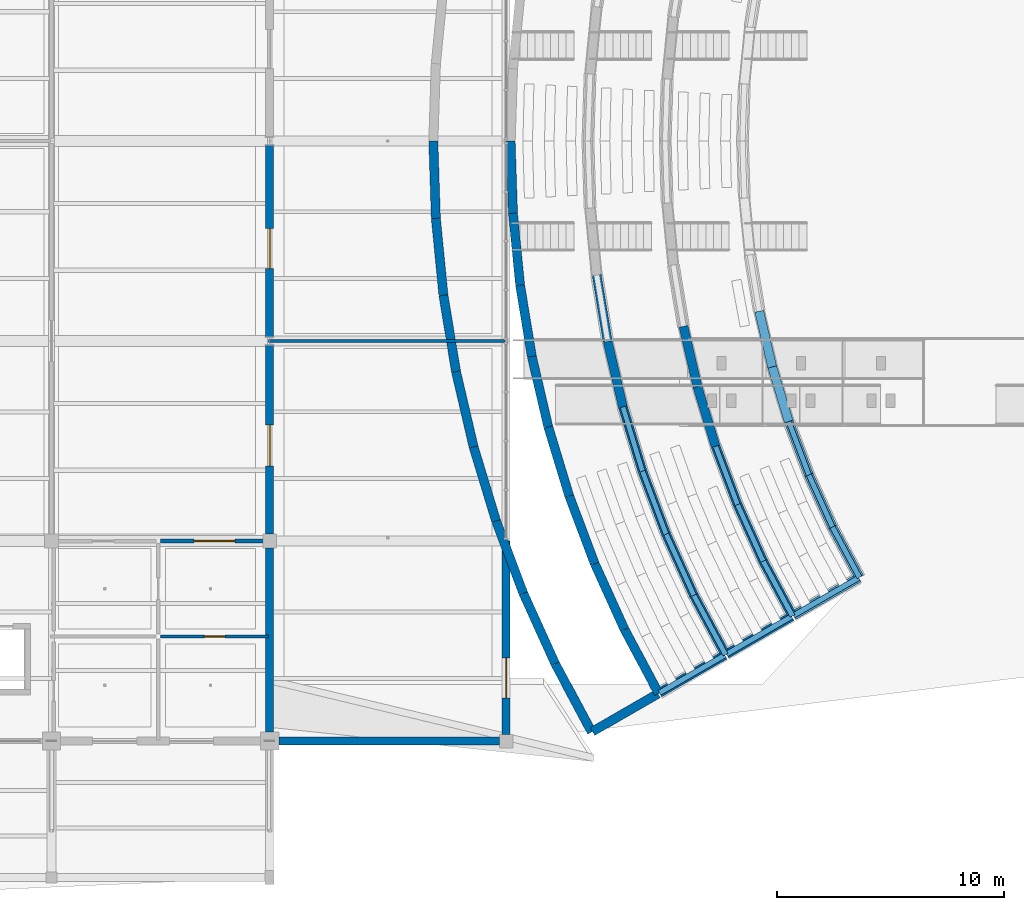
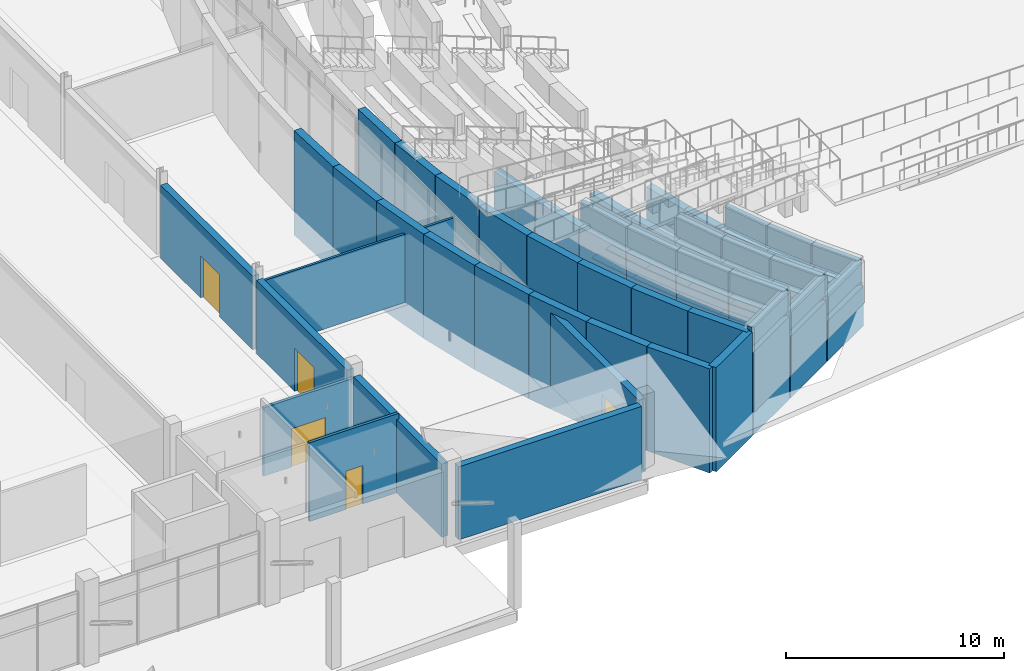
# One storey, part 85 of 116: 57 walls, 5 doors, 5 openings.
"""IFC4 building model written with IfcOpenShell, lengths in metres."""

import ifcopenshell
import ifcopenshell.guid

model = None  # the IFC model being written
_history = None  # IfcOwnerHistory: only IFC2X3 demands one
_inside = {}  # id of a spatial element -> (the spatial element, [elements in it])
_under = {}  # id of a project, library or spatial element -> (it, [spatial elements below it])
_declared = {}  # id of a project -> (the project, [libraries it declares])
_typed = {}  # id of a type object -> (the type object, [elements of that type])
_made_of = {}  # id of a material, layer set ... -> (it, [elements and type objects made of it])


def new_model(schema):
    """Start an empty IFC model of exactly this schema.

    Asked for "IFC4X3", IfcOpenShell would pick the latest addendum, in which some entities
    have other attributes; the version numbers below select the first issue.
    IFC2X3 requires an IfcOwnerHistory on every rooted entity: one is made here for all.
    """
    global model, _history
    if schema == "IFC4X3":
        model = ifcopenshell.file(schema_version=(4, 3, 0, 0))
    else:
        model = ifcopenshell.file(schema=schema)
    _inside.clear()
    _under.clear()
    _declared.clear()
    _typed.clear()
    _made_of.clear()
    _history = None
    if model.schema == "IFC2X3":
        org = make("IfcOrganization", Name="unknown")
        user = make(
            "IfcPersonAndOrganization",
            ThePerson=make("IfcPerson", FamilyName="unknown"),
            TheOrganization=org,
        )
        app = make(
            "IfcApplication",
            ApplicationDeveloper=org,
            Version="unknown",
            ApplicationFullName="unknown",
            ApplicationIdentifier="unknown",
        )
        _history = make(
            "IfcOwnerHistory",
            OwningUser=user,
            OwningApplication=app,
            ChangeAction="ADDED",
            CreationDate=0,
        )
    return model


def make(cls, **values):
    """One entity of the class cls with the attributes given. An attribute that is None is left unset."""
    return model.create_entity(
        cls, **{name: value for name, value in values.items() if value is not None}
    )


def rooted(cls, **values):
    """An entity with a GlobalId (a new one), such as an element, a storey or a relation."""
    return make(cls, GlobalId=ifcopenshell.guid.new(), OwnerHistory=_history, **values)


def si_unit(unit_type, name, prefix=None):
    """IfcSIUnit, for example si_unit("LENGTHUNIT", "METRE", prefix="MILLI")."""
    return make("IfcSIUnit", UnitType=unit_type, Prefix=prefix, Name=name)


def assignment(units):
    """IfcUnitAssignment: the units of a project."""
    return None if units is None else make("IfcUnitAssignment", Units=units)


def point(xyz):
    """IfcCartesianPoint."""
    return None if xyz is None else make("IfcCartesianPoint", Coordinates=xyz)


def direction(xyz):
    """IfcDirection."""
    return None if xyz is None else make("IfcDirection", DirectionRatios=xyz)


def frame(location, z_axis=None, x_axis=None):
    """IfcAxis2Placement3D, a coordinate frame: its origin and axes. An axis left out is left unset."""
    return make(
        "IfcAxis2Placement3D",
        Location=point(location),
        Axis=direction(z_axis),
        RefDirection=direction(x_axis),
    )


def frame_2d(location, x_axis=None):
    """IfcAxis2Placement2D, a coordinate frame in the plane: its origin and x axis."""
    return make(
        "IfcAxis2Placement2D", Location=point(location), RefDirection=direction(x_axis)
    )


def origin():
    """The frame at (0, 0, 0) with its axes left unset."""
    return frame((0.0, 0.0, 0.0))


def place(relative_to, where):
    """IfcLocalPlacement: puts the frame where relative to a parent placement (None: the world)."""
    return make(
        "IfcLocalPlacement", PlacementRelTo=relative_to, RelativePlacement=where
    )


def context(
    kind, dimensions, precision=None, world=None, true_north=None, identifier=None
):
    """IfcGeometricRepresentationContext, for example the 3D "Model" context."""
    return make(
        "IfcGeometricRepresentationContext",
        ContextIdentifier=identifier,
        ContextType=kind,
        CoordinateSpaceDimension=dimensions,
        Precision=precision,
        WorldCoordinateSystem=world,
        TrueNorth=true_north,
    )


def subcontext(parent, identifier, kind, view, scale=None):
    """IfcGeometricRepresentationSubContext, for example "Body" below "Model"."""
    return make(
        "IfcGeometricRepresentationSubContext",
        ContextIdentifier=identifier,
        ContextType=kind,
        ParentContext=parent,
        TargetScale=scale,
        TargetView=view,
    )


def project(units=None, contexts=None):
    """IfcProject with its units and contexts."""
    return rooted(
        "IfcProject",
        Name="project",
        RepresentationContexts=contexts,
        UnitsInContext=assignment(units),
    )


def spatial(cls, under=None, at=None, **own):
    """A site, building, storey or space (cls), placed at a placement, below another one or the project."""
    s = rooted(cls, ObjectPlacement=at, **own)
    if under is not None:
        _under.setdefault(under.id(), (under, []))[1].append(s)
    return s


def profile(cls, at=None, kind="AREA", **sizes):
    """A parametric profile (cls). Its sizes go by their IFC names, for example OverallWidth=200.0."""
    return make(cls, ProfileType=kind, Position=at, **sizes)


def rectangle(**sizes):
    """IfcRectangleProfileDef."""
    return profile("IfcRectangleProfileDef", **sizes)


def extrude(swept, where, along, depth):
    """IfcExtrudedAreaSolid: the profile swept, set in the frame where, extruded along a direction by depth."""
    return make(
        "IfcExtrudedAreaSolid",
        SweptArea=swept,
        Position=where,
        ExtrudedDirection=direction(along),
        Depth=depth,
    )


def shape(context_of_items, identifier, shape_type, items):
    """IfcShapeRepresentation: the items that make up one representation, for example the "Body"."""
    return make(
        "IfcShapeRepresentation",
        ContextOfItems=context_of_items,
        RepresentationIdentifier=identifier,
        RepresentationType=shape_type,
        Items=items,
    )


def material(Name=None, Category=None):
    """IfcMaterial."""
    return make("IfcMaterial", Name=Name, Category=Category)


def layer(
    of_material, thickness, ventilated=None, Name=None, Category=None, Priority=None
):
    """IfcMaterialLayer: one layer of a wall or slab, of a material (None: an air gap)."""
    return make(
        "IfcMaterialLayer",
        Material=of_material,
        LayerThickness=thickness,
        IsVentilated=ventilated,
        Name=Name,
        Category=Category,
        Priority=Priority,
    )


def layer_set(layers, Name=None):
    """IfcMaterialLayerSet."""
    return make("IfcMaterialLayerSet", MaterialLayers=layers, LayerSetName=Name)


def made_of(thing, what):
    """Note that an element or type object is made of a material, layer set ...; save() writes the relation."""
    if what is not None:
        _made_of.setdefault(what.id(), (what, []))[1].append(thing)
    return thing


def type_object(cls, material=None, **own):
    """A type object (cls), such as IfcWallType, which elements share."""
    return made_of(rooted(cls, **own), material)


def element(
    cls,
    number,
    at=None,
    inside=None,
    cuts=None,
    type_object=None,
    material=None,
    context=None,
    identifier="Body",
    shape_type=None,
    held_by="IfcProductDefinitionShape",
    body=None,
    shapes=None,
    **own,
):
    """One element of the class cls, such as IfcWall. Its Tag is "e" and its number.

    at: its placement. inside: the storey or other place that contains it. cuts: it is an
    opening in that element (IfcRelVoidsElement). A single representation is given by context,
    identifier, shape_type and body (its items); several are given by shapes. held_by: the class
    of the entity that holds the representations. save() writes the other relations.
    """
    e = rooted(cls, Tag="e%d" % number, ObjectPlacement=at, **own)
    if body is not None:
        shapes = [shape(context, identifier, shape_type, body)]
    if shapes is not None:
        e.Representation = make(held_by, Representations=shapes)
    if inside is not None:
        _inside.setdefault(inside.id(), (inside, []))[1].append(e)
    if cuts is not None:
        rooted(
            "IfcRelVoidsElement", RelatingBuildingElement=cuts, RelatedOpeningElement=e
        )
    if type_object is not None:
        _typed.setdefault(type_object.id(), (type_object, []))[1].append(e)
    return made_of(e, material)


def fill(opening, filler):
    """IfcRelFillsElement: the door or window that sits in an opening."""
    return rooted(
        "IfcRelFillsElement",
        RelatingOpeningElement=opening,
        RelatedBuildingElement=filler,
    )


def aggregate(whole, parts):
    """IfcRelAggregates: a whole, such as a stair, and the parts it consists of."""
    return rooted("IfcRelAggregates", RelatingObject=whole, RelatedObjects=parts)


def save(model, path):
    """Write the relations noted so far, then the file.

    IfcRelAggregates (storeys below a building ...), IfcRelContainedInSpatialStructure (elements
    in a storey), IfcRelDefinesByType, IfcRelAssociatesMaterial and IfcRelDeclares: one each for
    every whole, place, type object, material and project.
    """
    for whole, parts in _under.values():
        aggregate(whole, parts)
    for where, things in _inside.values():
        rooted(
            "IfcRelContainedInSpatialStructure",
            RelatedElements=things,
            RelatingStructure=where,
        )
    for kind, things in _typed.values():
        rooted("IfcRelDefinesByType", RelatedObjects=things, RelatingType=kind)
    for what, things in _made_of.values():
        rooted("IfcRelAssociatesMaterial", RelatedObjects=things, RelatingMaterial=what)
    for by, libraries in _declared.values():
        rooted("IfcRelDeclares", RelatingContext=by, RelatedDefinitions=libraries)
    model.write(path)


model = new_model("IFC4")

# Units and contexts
model_context = context("Model", 3, precision=1e-05, world=origin(), true_north=direction((0.0, 1.0)))
body_context = subcontext(model_context, "Body", "Model", "MODEL_VIEW")
ifc_project = project(units=[si_unit("LENGTHUNIT", "METRE"), si_unit("AREAUNIT", "SQUARE_METRE"), si_unit("VOLUMEUNIT", "CUBIC_METRE"), si_unit("PLANEANGLEUNIT", "RADIAN"), si_unit("MASSUNIT", "GRAM", prefix="KILO")], contexts=[model_context])

# Site, building, storey
site_placement = place(None, origin())
site = spatial("IfcSite", under=ifc_project, at=site_placement, CompositionType="ELEMENT")
building_placement = place(site_placement, origin())
building = spatial("IfcBuilding", under=site, at=building_placement, Name="Chalmorin Arch Market", CompositionType="ELEMENT")
storey_placement = place(building_placement, origin())
storey = spatial("IfcBuildingStorey", under=building, at=storey_placement, Name="L00", CompositionType="ELEMENT", Elevation=0.0)

# Wall, opening, door
ifc_material_1 = material(Name="Gypsum Board Partition")
ifc_layer_1 = layer(ifc_material_1, 0.159912109375)
ifc_layer_set_1 = layer_set([ifc_layer_1], Name="Gypsum Board Partition")
wall_type_1 = type_object("IfcWallType", Name="CorridorRatedPartition-160", PredefinedType="PARTITIONING", material=ifc_layer_set_1)
wall_1_placement = place(storey_placement, frame((120.0, 14.800048828125, 0.0), z_axis=(0.0, 0.0, 1.0), x_axis=(1.0, 0.0, 0.0)))
wall_1 = element("IfcWall", 1, at=wall_1_placement, inside=storey, type_object=wall_type_1, Name="CRP-160-409", PredefinedType="PARTITIONING", context=body_context, shape_type="SweptSolid", body=[
    extrude(rectangle(XDim=4.75, YDim=0.159912109375, at=frame_2d((2.375, 0.0))), origin(), (0.0, 0.0, 1.0), 3.8349609375),
])
opening_1_placement = place(wall_1_placement, frame((1.47509765625, 0.0, 0.0)))
opening_1 = element("IfcOpeningElement", 2, at=opening_1_placement, cuts=wall_1, Name="Opening ID-112", PredefinedType="OPENING", context=body_context, shape_type="SweptSolid", body=[
    extrude(rectangle(XDim=1.800048828125, YDim=2.14990234375, at=frame_2d((0.89990234375, 1.074951171875))), frame((0.0, 0.08984375, 0.0), z_axis=(0.0, -1.0, 0.0), x_axis=(1.0, 0.0, 0.0)), (0.0, 0.0, 1.0), 0.179931640625),
])
ifc_material_2 = material(Name="Galvanised Steel", Category="steel")
door_type_1 = type_object("IfcDoorType", Name="CorridorFireDoubleDoor-1800x2150", OperationType="DOUBLE_DOOR_SINGLE_SWING", PredefinedType="DOOR", material=ifc_material_2)
door_1_placement = place(opening_1_placement, origin())
door_1 = element("IfcDoor", 3, at=door_1_placement, inside=storey, type_object=door_type_1, Name="ID-112", OperationType="DOUBLE_DOOR_SINGLE_SWING", OverallHeight=2.14990234375, OverallWidth=1.800048828125, PredefinedType="DOOR", context=body_context, shape_type="SweptSolid", body=[
    extrude(rectangle(XDim=1.800048828125, YDim=2.14990234375, at=frame_2d((0.89990234375, 1.074951171875))), frame((0.0, 0.02490234375, 0.0), z_axis=(0.0, -1.0, 0.0), x_axis=(1.0, 0.0, 0.0)), (0.0, 0.0, 1.0), 0.050048828125),
])
fill(opening_1, door_1)

# Walls
ifc_material_3 = material(Name="Powder-coated Aluminium Panel", Category="aluminium")
ifc_layer_2 = layer(ifc_material_3, 0.125)
ifc_layer_set_2 = layer_set([ifc_layer_2], Name="Powder-coated Aluminium Panel")
wall_type_2 = type_object("IfcWallType", Name="DemountableStudStallPartition-125", PredefinedType="PARTITIONING", material=ifc_layer_set_2)
wall_2_placement = place(storey_placement, frame((124.75, 23.60009765625, 0.0), z_axis=(0.0, 0.0, 1.0), x_axis=(1.0, 0.0, 0.0)))
element("IfcWall", 4, at=wall_2_placement, inside=storey, type_object=wall_type_2, Name="DSP-125-414", PredefinedType="PARTITIONING", context=body_context, shape_type="SweptSolid", body=[
    extrude(rectangle(XDim=10.39990234375, YDim=0.125, at=frame_2d((5.199951171875, 0.0))), origin(), (0.0, 0.0, 1.0), 3.8349609375),
])
ifc_material_4 = material(Name="Concrete C35/45", Category="concrete")
ifc_layer_3 = layer(ifc_material_4, 0.35009765625)
ifc_layer_set_3 = layer_set([ifc_layer_3], Name="Concrete C35/45")
wall_type_3 = type_object("IfcWallType", Name="PlinthPerimeterWall-350", PredefinedType="SOLIDWALL", material=ifc_layer_set_3)
wall_3_placement = place(storey_placement, frame((124.800048828125, 6.39990234375, 0.0), z_axis=(0.0, 0.0, 1.0), x_axis=(0.0, 1.0, 0.0)))
element("IfcWall", 5, at=wall_3_placement, inside=storey, type_object=wall_type_3, Name="PPW-350-137", PredefinedType="SOLIDWALL", context=body_context, shape_type="SweptSolid", body=[
    extrude(rectangle(XDim=8.10009765625, YDim=0.35009765625, at=frame_2d((4.050048828125, 0.0))), origin(), (0.0, 0.0, 1.0), 4.10009765625),
])

# Wall, opening, door
wall_4_placement = place(storey_placement, frame((124.800048828125, 15.10009765625, 0.0), z_axis=(0.0, 0.0, 1.0), x_axis=(0.0, 1.0, 0.0)))
wall_4 = element("IfcWall", 6, at=wall_4_placement, inside=storey, type_object=wall_type_3, Name="PPW-350-140", PredefinedType="SOLIDWALL", context=body_context, shape_type="SweptSolid", body=[
    extrude(rectangle(XDim=8.31591796875, YDim=0.35009765625, at=frame_2d((4.157958984375, 0.0))), origin(), (0.0, 0.0, 1.0), 4.10009765625),
])
opening_2_placement = place(wall_4_placement, frame((3.0, 0.0, 0.0)))
opening_2 = element("IfcOpeningElement", 7, at=opening_2_placement, cuts=wall_4, Name="Opening ED-024", PredefinedType="OPENING", context=body_context, shape_type="SweptSolid", body=[
    extrude(rectangle(XDim=1.800048828125, YDim=2.39990234375, at=frame_2d((0.89990234375, 1.199951171875))), frame((0.0, 0.18505859375, 0.0), z_axis=(0.0, -1.0, 0.0), x_axis=(1.0, 0.0, 0.0)), (0.0, 0.0, 1.0), 0.3701171875),
])
ifc_material_5 = material(Name="Aluminium 6063-T6", Category="aluminium")
door_type_2 = type_object("IfcDoorType", Name="DoubleStorefrontDoor-1800x2400", OperationType="DOUBLE_DOOR_SINGLE_SWING", PredefinedType="DOOR", material=ifc_material_5)
door_2_placement = place(opening_2_placement, origin())
door_2 = element("IfcDoor", 8, at=door_2_placement, inside=storey, type_object=door_type_2, Name="ED-024", OperationType="DOUBLE_DOOR_SINGLE_SWING", OverallHeight=2.39990234375, OverallWidth=1.800048828125, PredefinedType="DOOR", context=body_context, shape_type="SweptSolid", body=[
    extrude(rectangle(XDim=1.800048828125, YDim=2.39990234375, at=frame_2d((0.89990234375, 1.199951171875))), frame((0.0, 0.02490234375, 0.0), z_axis=(0.0, -1.0, 0.0), x_axis=(1.0, 0.0, 0.0)), (0.0, 0.0, 1.0), 0.050048828125),
])
fill(opening_2, door_2)

wall_5_placement = place(storey_placement, frame((124.800048828125, 23.783935546875, 0.0), z_axis=(0.0, 0.0, 1.0), x_axis=(0.0, 1.0, 0.0)))
wall_5 = element("IfcWall", 9, at=wall_5_placement, inside=storey, type_object=wall_type_3, Name="PPW-350-142", PredefinedType="SOLIDWALL", context=body_context, shape_type="SweptSolid", body=[
    extrude(rectangle(XDim=8.43212890625, YDim=0.35009765625, at=frame_2d((4.216064453125, 0.0))), origin(), (0.0, 0.0, 1.0), 4.10009765625),
])
opening_3_placement = place(wall_5_placement, frame((3.0, 0.0, 0.0)))
opening_3 = element("IfcOpeningElement", 10, at=opening_3_placement, cuts=wall_5, Name="Opening ED-025", PredefinedType="OPENING", context=body_context, shape_type="SweptSolid", body=[
    extrude(rectangle(XDim=1.760009765625, YDim=2.3701171875, at=frame_2d((0.8798828125, 1.18505859375))), frame((0.0, 0.18505859375, 0.0), z_axis=(0.0, -1.0, 0.0), x_axis=(1.0, 0.0, 0.0)), (0.0, 0.0, 1.0), 0.3701171875),
])
door_type_3 = type_object("IfcDoorType", Name="DoubleStorefrontDoor-1800x2400-1760x2370", OperationType="DOUBLE_DOOR_SINGLE_SWING", PredefinedType="DOOR", material=ifc_material_5)
door_3_placement = place(opening_3_placement, origin())
door_3 = element("IfcDoor", 11, at=door_3_placement, inside=storey, type_object=door_type_3, Name="ED-025", OperationType="DOUBLE_DOOR_SINGLE_SWING", OverallHeight=2.3701171875, OverallWidth=1.760009765625, PredefinedType="DOOR", context=body_context, shape_type="SweptSolid", body=[
    extrude(rectangle(XDim=1.760009765625, YDim=2.3701171875, at=frame_2d((0.8798828125, 1.18505859375))), frame((0.0, 0.02490234375, 0.0), z_axis=(0.0, -1.0, 0.0), x_axis=(1.0, 0.0, 0.0)), (0.0, 0.0, 1.0), 0.050048828125),
])
fill(opening_3, door_3)

wall_6_placement = place(storey_placement, frame((135.199951171875, 6.300048828125, 0.0), z_axis=(0.0, 0.0, 1.0), x_axis=(0.0, 1.0, 0.0)))
wall_6 = element("IfcWall", 12, at=wall_6_placement, inside=storey, type_object=wall_type_3, Name="PPW-350-229", PredefinedType="SOLIDWALL", context=body_context, shape_type="SweptSolid", body=[
    extrude(rectangle(XDim=8.5, YDim=0.35009765625, at=frame_2d((4.25, 0.0))), origin(), (0.0, 0.0, 1.0), 4.10009765625),
])
opening_4_placement = place(wall_6_placement, frame((1.60009765625, 0.0, 0.0)))
opening_4 = element("IfcOpeningElement", 13, at=opening_4_placement, cuts=wall_6, Name="Opening ED-061", PredefinedType="OPENING", context=body_context, shape_type="SweptSolid", body=[
    extrude(rectangle(XDim=1.760009765625, YDim=2.3701171875, at=frame_2d((0.8798828125, 1.18505859375))), frame((0.0, 0.18505859375, 0.0), z_axis=(0.0, -1.0, 0.0), x_axis=(1.0, 0.0, 0.0)), (0.0, 0.0, 1.0), 0.3701171875),
])
door_4_placement = place(opening_4_placement, origin())
door_4 = element("IfcDoor", 14, at=door_4_placement, inside=storey, type_object=door_type_3, Name="ED-061", OperationType="DOUBLE_DOOR_SINGLE_SWING", OverallHeight=2.3701171875, OverallWidth=1.760009765625, PredefinedType="DOOR", context=body_context, shape_type="SweptSolid", body=[
    extrude(rectangle(XDim=1.760009765625, YDim=2.3701171875, at=frame_2d((0.8798828125, 1.18505859375))), frame((0.0, 0.02490234375, 0.0), z_axis=(0.0, -1.0, 0.0), x_axis=(1.0, 0.0, 0.0)), (0.0, 0.0, 1.0), 0.050048828125),
])
fill(opening_4, door_4)

# Walls
wall_7_placement = place(storey_placement, frame((125.199951171875, 6.0, 0.0), z_axis=(0.0, 0.0, 1.0), x_axis=(1.0, 0.0, 0.0)))
element("IfcWall", 15, at=wall_7_placement, inside=storey, type_object=wall_type_3, Name="PPW-350-231", PredefinedType="SOLIDWALL", context=body_context, shape_type="SweptSolid", body=[
    extrude(rectangle(XDim=9.699951171875, YDim=0.35009765625, at=frame_2d((4.85009765625, 0.0))), origin(), (0.0, 0.0, 1.0), 4.10009765625),
])
ifc_material_6 = material(Name="Concrete C40/50", Category="concrete")
ifc_layer_4 = layer(ifc_material_6, 0.39990234375)
ifc_layer_set_4 = layer_set([ifc_layer_4], Name="Concrete C40/50")
wall_type_4 = type_object("IfcWallType", Name="TerraceRetainingWall-400", PredefinedType="SOLIDWALL", material=ifc_layer_set_4)
wall_8_placement = place(storey_placement, frame((146.337890625, 24.908935546875, -1.300048828125), z_axis=(0.0, 0.0, 1.0), x_axis=(0.226802786969, -0.97394070447, 0.0)))
element("IfcWall", 16, at=wall_8_placement, inside=storey, type_object=wall_type_4, Name="TRW-400-251", PredefinedType="SOLIDWALL", context=body_context, shape_type="SweptSolid", body=[
    extrude(rectangle(XDim=2.513427734375, YDim=0.39990234375, at=frame_2d((1.2568359375, 0.0))), origin(), (0.0, 0.0, 1.0), 2.239990234375),
])
wall_9_placement = place(storey_placement, frame((146.907958984375, 22.4609375, -1.300048828125), z_axis=(0.0, 0.0, 1.0), x_axis=(0.290546744207, -0.956860799401, 0.0)))
element("IfcWall", 17, at=wall_9_placement, inside=storey, type_object=wall_type_4, Name="TRW-400-252", PredefinedType="SOLIDWALL", context=body_context, shape_type="SweptSolid", body=[
    extrude(rectangle(XDim=2.512451171875, YDim=0.39990234375, at=frame_2d((1.25634765625, 0.0))), origin(), (0.0, 0.0, 1.0), 2.239990234375),
])
wall_10_placement = place(storey_placement, frame((147.637939453125, 20.056884765625, -1.300048828125), z_axis=(0.0, 0.0, 1.0), x_axis=(0.352198605273, -0.935925286785, 0.0)))
element("IfcWall", 18, at=wall_10_placement, inside=storey, type_object=wall_type_4, Name="TRW-400-253", PredefinedType="SOLIDWALL", context=body_context, shape_type="SweptSolid", body=[
    extrude(rectangle(XDim=2.5126953125, YDim=0.39990234375, at=frame_2d((1.25634765625, 0.0))), origin(), (0.0, 0.0, 1.0), 2.239990234375),
])
for number, where, z_axis, x_axis, name in (
    (19, (148.52294921875, 17.705078125, -1.300048828125), (0.0, 0.0, 1.0), (0.412690076585, -0.910871506135, 0.0), "TRW-400-255"),
    (20, (149.56005859375, 15.416015625, -1.300048828125), (0.0, 0.0, 1.0), (0.471566169419, -0.881830679813, 0.0), "TRW-400-257"),
):
    element("IfcWall", number, at=place(storey_placement, frame(where, z_axis=z_axis, x_axis=x_axis)), inside=storey, type_object=wall_type_4, Name=name, PredefinedType="SOLIDWALL", context=body_context, shape_type="SweptSolid", body=[
        extrude(rectangle(XDim=2.512939453125, YDim=0.39990234375, at=frame_2d((1.25634765625, 0.0))), origin(), (0.0, 0.0, 1.0), 2.239990234375),
    ])
wall_11_placement = place(storey_placement, frame((143.0029296875, 24.2451171875, -1.300048828125), z_axis=(0.0, 0.0, 1.0), x_axis=(0.22704904503, -0.973883325225, 0.0)))
element("IfcWall", 21, at=wall_11_placement, inside=storey, type_object=wall_type_4, Name="TRW-400-277", PredefinedType="SOLIDWALL", context=body_context, shape_type="SweptSolid", body=[
    extrude(rectangle(XDim=2.735595703125, YDim=0.39990234375, at=frame_2d((1.36767578125, 0.0))), origin(), (0.0, 0.0, 1.0), 3.43994140625),
])
wall_12_placement = place(storey_placement, frame((143.6240234375, 21.5810546875, -1.300048828125), z_axis=(0.0, 0.0, 1.0), x_axis=(0.290319576629, -0.956929748428, 0.0)))
element("IfcWall", 22, at=wall_12_placement, inside=storey, type_object=wall_type_4, Name="TRW-400-278", PredefinedType="SOLIDWALL", context=body_context, shape_type="SweptSolid", body=[
    extrude(rectangle(XDim=2.734619140625, YDim=0.39990234375, at=frame_2d((1.3671875, 0.0))), origin(), (0.0, 0.0, 1.0), 3.43994140625),
])
wall_13_placement = place(storey_placement, frame((144.41796875, 18.964111328125, -1.300048828125), z_axis=(0.0, 0.0, 1.0), x_axis=(0.352433673569, -0.93583679439, 0.0)))
element("IfcWall", 23, at=wall_13_placement, inside=storey, type_object=wall_type_4, Name="TRW-400-279", PredefinedType="SOLIDWALL", context=body_context, shape_type="SweptSolid", body=[
    extrude(rectangle(XDim=2.735595703125, YDim=0.39990234375, at=frame_2d((1.36767578125, 0.0))), origin(), (0.0, 0.0, 1.0), 3.43994140625),
])
wall_14_placement = place(storey_placement, frame((145.382080078125, 16.404052734375, -1.300048828125), z_axis=(0.0, 0.0, 1.0), x_axis=(0.412652865445, -0.910888364532, 0.0)))
element("IfcWall", 24, at=wall_14_placement, inside=storey, type_object=wall_type_4, Name="TRW-400-281", PredefinedType="SOLIDWALL", context=body_context, shape_type="SweptSolid", body=[
    extrude(rectangle(XDim=2.73583984375, YDim=0.39990234375, at=frame_2d((1.367919921875, 0.0))), origin(), (0.0, 0.0, 1.0), 3.43994140625),
])
wall_15_placement = place(storey_placement, frame((146.510986328125, 13.912109375, -1.300048828125), z_axis=(0.0, 0.0, 1.0), x_axis=(0.471329386267, -0.881957260666, 0.0)))
element("IfcWall", 25, at=wall_15_placement, inside=storey, type_object=wall_type_4, Name="TRW-400-283", PredefinedType="SOLIDWALL", context=body_context, shape_type="SweptSolid", body=[
    extrude(rectangle(XDim=2.73486328125, YDim=0.39990234375, at=frame_2d((1.367431640625, 0.0))), origin(), (0.0, 0.0, 1.0), 3.43994140625),
])
wall_16_placement = place(storey_placement, frame((139.18701171875, 26.5, -1.300048828125), z_axis=(0.0, 0.0, 1.0), x_axis=(0.162953075722, -0.986633820175, 0.0)))
element("IfcWall", 26, at=wall_16_placement, inside=storey, type_object=wall_type_4, Name="TRW-400-302", PredefinedType="SOLIDWALL", context=body_context, shape_type="SweptSolid", body=[
    extrude(rectangle(XDim=2.95751953125, YDim=0.39990234375, at=frame_2d((1.478759765625, 0.0))), origin(), (0.0, 0.0, 1.0), 4.64013671875),
])
wall_17_placement = place(storey_placement, frame((139.6689453125, 23.58203125, -1.300048828125), z_axis=(0.0, 0.0, 1.0), x_axis=(0.22687217762, -0.973924542776, 0.0)))
element("IfcWall", 27, at=wall_17_placement, inside=storey, type_object=wall_type_4, Name="TRW-400-304", PredefinedType="SOLIDWALL", context=body_context, shape_type="SweptSolid", body=[
    extrude(rectangle(XDim=2.958251953125, YDim=0.39990234375, at=frame_2d((1.47900390625, 0.0))), origin(), (0.0, 0.0, 1.0), 4.64013671875),
])
wall_18_placement = place(storey_placement, frame((140.340087890625, 20.700927734375, -1.300048828125), z_axis=(0.0, 0.0, 1.0), x_axis=(0.290428960728, -0.95689655594, 0.0)))
element("IfcWall", 28, at=wall_18_placement, inside=storey, type_object=wall_type_4, Name="TRW-400-305", PredefinedType="SOLIDWALL", context=body_context, shape_type="SweptSolid", body=[
    extrude(rectangle(XDim=2.957275390625, YDim=0.39990234375, at=frame_2d((1.478515625, 0.0))), origin(), (0.0, 0.0, 1.0), 4.64013671875),
])
wall_19_placement = place(storey_placement, frame((141.198974609375, 17.87109375, -1.300048828125), z_axis=(0.0, 0.0, 1.0), x_axis=(0.352299138469, -0.935887448914, 0.0)))
element("IfcWall", 29, at=wall_19_placement, inside=storey, type_object=wall_type_4, Name="TRW-400-307", PredefinedType="SOLIDWALL", context=body_context, shape_type="SweptSolid", body=[
    extrude(rectangle(XDim=2.957763671875, YDim=0.39990234375, at=frame_2d((1.47900390625, 0.0))), origin(), (0.0, 0.0, 1.0), 4.64013671875),
])
wall_20_placement = place(storey_placement, frame((142.240966796875, 15.10302734375, -1.300048828125), z_axis=(0.0, 0.0, 1.0), x_axis=(0.412508845839, -0.910953594924, 0.0)))
element("IfcWall", 30, at=wall_20_placement, inside=storey, type_object=wall_type_4, Name="TRW-400-309", PredefinedType="SOLIDWALL", context=body_context, shape_type="SweptSolid", body=[
    extrude(rectangle(XDim=2.95751953125, YDim=0.39990234375, at=frame_2d((1.478759765625, 0.0))), origin(), (0.0, 0.0, 1.0), 4.64013671875),
])
wall_21_placement = place(storey_placement, frame((143.4609375, 12.408935546875, -1.300048828125), z_axis=(0.0, 0.0, 1.0), x_axis=(0.47153883746, -0.881845295257, 0.0)))
element("IfcWall", 31, at=wall_21_placement, inside=storey, type_object=wall_type_4, Name="TRW-400-311", PredefinedType="SOLIDWALL", context=body_context, shape_type="SweptSolid", body=[
    extrude(rectangle(XDim=2.95849609375, YDim=0.39990234375, at=frame_2d((1.479248046875, 0.0))), origin(), (0.0, 0.0, 1.0), 4.64013671875),
])
wall_22_placement = place(storey_placement, frame((135.39990234375, 32.39990234375, -1.300048828125), z_axis=(0.0, 0.0, 1.0), x_axis=(0.032698886095, -0.999465248444, 0.0)))
element("IfcWall", 32, at=wall_22_placement, inside=storey, type_object=wall_type_4, Name="TRW-400-327", PredefinedType="SOLIDWALL", context=body_context, shape_type="SweptSolid", body=[
    extrude(rectangle(XDim=3.1806640625, YDim=0.39990234375, at=frame_2d((1.59033203125, 0.0))), origin(), (0.0, 0.0, 1.0), 5.840087890625),
])
wall_23_placement = place(storey_placement, frame((135.50390625, 29.220947265625, -1.300048828125), z_axis=(0.0, 0.0, 1.0), x_axis=(0.098105137251, -0.995176055804, 0.0)))
element("IfcWall", 33, at=wall_23_placement, inside=storey, type_object=wall_type_4, Name="TRW-400-329", PredefinedType="SOLIDWALL", context=body_context, shape_type="SweptSolid", body=[
    extrude(rectangle(XDim=3.180419921875, YDim=0.39990234375, at=frame_2d((1.59033203125, 0.0))), origin(), (0.0, 0.0, 1.0), 5.840087890625),
])
wall_24_placement = place(storey_placement, frame((135.81591796875, 26.055908203125, -1.300048828125), z_axis=(0.0, 0.0, 1.0), x_axis=(0.162941931057, -0.98663566077, 0.0)))
element("IfcWall", 34, at=wall_24_placement, inside=storey, type_object=wall_type_4, Name="TRW-400-330", PredefinedType="SOLIDWALL", context=body_context, shape_type="SweptSolid", body=[
    extrude(rectangle(XDim=3.179443359375, YDim=0.39990234375, at=frame_2d((1.58984375, 0.0))), origin(), (0.0, 0.0, 1.0), 5.840087890625),
])
wall_25_placement = place(storey_placement, frame((136.333984375, 22.9189453125, -1.300048828125), z_axis=(0.0, 0.0, 1.0), x_axis=(0.226955434823, -0.973905144562, 0.0)))
element("IfcWall", 35, at=wall_25_placement, inside=storey, type_object=wall_type_4, Name="TRW-400-332", PredefinedType="SOLIDWALL", context=body_context, shape_type="SweptSolid", body=[
    extrude(rectangle(XDim=3.180908203125, YDim=0.39990234375, at=frame_2d((1.59033203125, 0.0))), origin(), (0.0, 0.0, 1.0), 5.840087890625),
])
for number, where, z_axis, x_axis, name in (
    (36, (137.055908203125, 19.821044921875, -1.300048828125), (0.0, 0.0, 1.0), (0.290290789392, -0.956938481614, 0.0), "TRW-400-333"),
    (37, (137.97900390625, 16.778076171875, -1.300048828125), (0.0, 0.0, 1.0), (0.352250644883, -0.935905702077, 0.0), "TRW-400-335"),
):
    element("IfcWall", number, at=place(storey_placement, frame(where, z_axis=z_axis, x_axis=x_axis)), inside=storey, type_object=wall_type_4, Name=name, PredefinedType="SOLIDWALL", context=body_context, shape_type="SweptSolid", body=[
        extrude(rectangle(XDim=3.179931640625, YDim=0.39990234375, at=frame_2d((1.58984375, 0.0))), origin(), (0.0, 0.0, 1.0), 5.840087890625),
    ])
wall_26_placement = place(storey_placement, frame((139.09912109375, 13.802001953125, -1.300048828125), z_axis=(0.0, 0.0, 1.0), x_axis=(0.412807989375, -0.910818073991, 0.0)))
element("IfcWall", 38, at=wall_26_placement, inside=storey, type_object=wall_type_4, Name="TRW-400-337", PredefinedType="SOLIDWALL", context=body_context, shape_type="SweptSolid", body=[
    extrude(rectangle(XDim=3.1806640625, YDim=0.39990234375, at=frame_2d((1.59033203125, 0.0))), origin(), (0.0, 0.0, 1.0), 5.840087890625),
])
wall_27_placement = place(storey_placement, frame((140.412109375, 10.905029296875, -1.300048828125), z_axis=(0.0, 0.0, 1.0), x_axis=(0.471277407926, -0.881985036596, 0.0)))
element("IfcWall", 39, at=wall_27_placement, inside=storey, type_object=wall_type_4, Name="TRW-400-339", PredefinedType="SOLIDWALL", context=body_context, shape_type="SweptSolid", body=[
    extrude(rectangle(XDim=3.18017578125, YDim=0.39990234375, at=frame_2d((1.590087890625, 0.0))), origin(), (0.0, 0.0, 1.0), 5.840087890625),
])
wall_28_placement = place(storey_placement, frame((132.0, 32.39990234375, -1.300048828125), z_axis=(0.0, 0.0, 1.0), x_axis=(0.032645906393, -0.999466980343, 0.0)))
element("IfcWall", 40, at=wall_28_placement, inside=storey, type_object=wall_type_4, Name="TRW-400-349", PredefinedType="SOLIDWALL", context=body_context, shape_type="SweptSolid", body=[
    extrude(rectangle(XDim=3.402587890625, YDim=0.39990234375, at=frame_2d((1.701171875, 0.0))), origin(), (0.0, 0.0, 1.0), 5.840087890625),
])
wall_29_placement = place(storey_placement, frame((132.111083984375, 28.9990234375, -1.300048828125), z_axis=(0.0, 0.0, 1.0), x_axis=(0.098160885719, -0.995170558505, 0.0)))
element("IfcWall", 41, at=wall_29_placement, inside=storey, type_object=wall_type_4, Name="TRW-400-350", PredefinedType="SOLIDWALL", context=body_context, shape_type="SweptSolid", body=[
    extrude(rectangle(XDim=3.40234375, YDim=0.39990234375, at=frame_2d((1.701171875, 0.0))), origin(), (0.0, 0.0, 1.0), 5.840087890625),
])
wall_30_placement = place(storey_placement, frame((132.445068359375, 25.613037109375, -1.300048828125), z_axis=(0.0, 0.0, 1.0), x_axis=(0.162758630432, -0.986665915201, 0.0)))
element("IfcWall", 42, at=wall_30_placement, inside=storey, type_object=wall_type_4, Name="TRW-400-351", PredefinedType="SOLIDWALL", context=body_context, shape_type="SweptSolid", body=[
    extrude(rectangle(XDim=3.403564453125, YDim=0.39990234375, at=frame_2d((1.70166015625, 0.0))), origin(), (0.0, 0.0, 1.0), 5.840087890625),
])
wall_31_placement = place(storey_placement, frame((132.9990234375, 22.2548828125, -1.300048828125), z_axis=(0.0, 0.0, 1.0), x_axis=(0.227143430466, -0.973861315587, 0.0)))
element("IfcWall", 43, at=wall_31_placement, inside=storey, type_object=wall_type_4, Name="TRW-400-352", PredefinedType="SOLIDWALL", context=body_context, shape_type="SweptSolid", body=[
    extrude(rectangle(XDim=3.40283203125, YDim=0.39990234375, at=frame_2d((1.701416015625, 0.0))), origin(), (0.0, 0.0, 1.0), 5.840087890625),
])
wall_32_placement = place(storey_placement, frame((133.77197265625, 18.94091796875, -1.300048828125), z_axis=(0.0, 0.0, 1.0), x_axis=(0.290387746123, -0.956909064071, 0.0)))
element("IfcWall", 44, at=wall_32_placement, inside=storey, type_object=wall_type_4, Name="TRW-400-353", PredefinedType="SOLIDWALL", context=body_context, shape_type="SweptSolid", body=[
    extrude(rectangle(XDim=3.402587890625, YDim=0.39990234375, at=frame_2d((1.701171875, 0.0))), origin(), (0.0, 0.0, 1.0), 5.840087890625),
])
for number, where, z_axis, x_axis, name in (
    (45, (134.760009765625, 15.68505859375, -1.300048828125), (0.0, 0.0, 1.0), (0.352051035757, -0.935980805478, 0.0), "TRW-400-354"),
    (46, (135.9580078125, 12.5, -1.300048828125), (0.0, 0.0, 1.0), (0.412910807632, -0.910771466912, 0.0), "TRW-400-355"),
    (47, (137.363037109375, 9.40087890625, -1.300048828125), (0.0, 0.0, 1.0), (0.471384968537, -0.881927554529, 0.0), "TRW-400-356"),
):
    element("IfcWall", number, at=place(storey_placement, frame(where, z_axis=z_axis, x_axis=x_axis)), inside=storey, type_object=wall_type_4, Name=name, PredefinedType="SOLIDWALL", context=body_context, shape_type="SweptSolid", body=[
        extrude(rectangle(XDim=3.40283203125, YDim=0.39990234375, at=frame_2d((1.701416015625, 0.0))), origin(), (0.0, 0.0, 1.0), 5.840087890625),
    ])
wall_33_placement = place(storey_placement, frame((150.7099609375, 13.179931640625, -1.300048828125), z_axis=(0.0, 0.0, 1.0), x_axis=(-0.866021479586, -0.50000679685, 0.0)))
element("IfcWall", 48, at=wall_33_placement, inside=storey, type_object=wall_type_4, Name="TRW-400-359", PredefinedType="SOLIDWALL", context=body_context, shape_type="SweptSolid", body=[
    extrude(rectangle(XDim=3.31982421875, YDim=0.39990234375, at=frame_2d((1.659912109375, 0.0))), origin(), (0.0, 0.0, 1.0), 2.239990234375),
])
wall_34_placement = place(storey_placement, frame((147.764892578125, 11.47998046875, -1.300048828125), z_axis=(0.0, 0.0, 1.0), x_axis=(-0.866021479586, -0.50000679685, 0.0)))
element("IfcWall", 49, at=wall_34_placement, inside=storey, type_object=wall_type_4, Name="TRW-400-363", PredefinedType="SOLIDWALL", context=body_context, shape_type="SweptSolid", body=[
    extrude(rectangle(XDim=3.31982421875, YDim=0.39990234375, at=frame_2d((1.659912109375, 0.0))), origin(), (0.0, 0.0, 1.0), 3.43994140625),
])
wall_35_placement = place(storey_placement, frame((144.821044921875, 9.780029296875, -1.300048828125), z_axis=(0.0, 0.0, 1.0), x_axis=(-0.866021479586, -0.50000679685, 0.0)))
element("IfcWall", 50, at=wall_35_placement, inside=storey, type_object=wall_type_4, Name="TRW-400-367", PredefinedType="SOLIDWALL", context=body_context, shape_type="SweptSolid", body=[
    extrude(rectangle(XDim=3.31982421875, YDim=0.39990234375, at=frame_2d((1.659912109375, 0.0))), origin(), (0.0, 0.0, 1.0), 4.64013671875),
])
wall_36_placement = place(storey_placement, frame((141.876953125, 8.080078125, -1.300048828125), z_axis=(0.0, 0.0, 1.0), x_axis=(-0.866063163075, -0.499934593286, 0.0)))
element("IfcWall", 51, at=wall_36_placement, inside=storey, type_object=wall_type_4, Name="TRW-400-371", PredefinedType="SOLIDWALL", context=body_context, shape_type="SweptSolid", body=[
    extrude(rectangle(XDim=3.32080078125, YDim=0.39990234375, at=frame_2d((1.660400390625, 0.0))), origin(), (0.0, 0.0, 1.0), 5.840087890625),
])

# Wall, opening, door
ifc_material_7 = material(Name="Concrete C30/37", Category="concrete")
ifc_layer_5 = layer(ifc_material_7, 0.14990234375)
ifc_layer_set_5 = layer_set([ifc_layer_5], Name="Concrete C30/37")
wall_type_5 = type_object("IfcWallType", Name="WetAreaTilePartition-150", PredefinedType="PARTITIONING", material=ifc_layer_set_5)
wall_37_placement = place(storey_placement, frame((120.0, 10.60009765625, 0.0), z_axis=(0.0, 0.0, 1.0), x_axis=(1.0, 0.0, 0.0)))
wall_37 = element("IfcWall", 52, at=wall_37_placement, inside=storey, type_object=wall_type_5, Name="WTP-150-412", PredefinedType="PARTITIONING", context=body_context, shape_type="SweptSolid", body=[
    extrude(rectangle(XDim=4.75, YDim=0.14990234375, at=frame_2d((2.375, 0.0))), origin(), (0.0, 0.0, 1.0), 4.419921875),
])
opening_5_placement = place(wall_37_placement, frame((1.925048828125, 0.0, 0.0)))
opening_5 = element("IfcOpeningElement", 53, at=opening_5_placement, cuts=wall_37, Name="Opening ID-113", PredefinedType="OPENING", context=body_context, shape_type="SweptSolid", body=[
    extrude(rectangle(XDim=0.89990234375, YDim=2.14990234375, at=frame_2d((0.449951171875, 1.074951171875))), frame((0.0, 0.0849609375, 0.0), z_axis=(0.0, -1.0, 0.0), x_axis=(1.0, 0.0, 0.0)), (0.0, 0.0, 1.0), 0.169921875),
])
ifc_material_8 = material(Name="Oak Engineered Timber", Category="wood")
door_type_4 = type_object("IfcDoorType", Name="RestroomEntryDoor-900x2150", OperationType="NOTDEFINED", PredefinedType="DOOR", material=ifc_material_8)
door_5_placement = place(opening_5_placement, origin())
door_5 = element("IfcDoor", 54, at=door_5_placement, inside=storey, type_object=door_type_4, Name="ID-113", OperationType="SINGLE_SWING_LEFT", OverallHeight=2.14990234375, OverallWidth=0.89990234375, PredefinedType="DOOR", context=body_context, shape_type="SweptSolid", body=[
    extrude(rectangle(XDim=0.89990234375, YDim=2.14990234375, at=frame_2d((0.449951171875, 1.074951171875))), frame((0.0, 0.02490234375, 0.0), z_axis=(0.0, -1.0, 0.0), x_axis=(1.0, 0.0, 0.0)), (0.0, 0.0, 1.0), 0.050048828125),
])
fill(opening_5, door_5)

# Walls
ifc_material_9 = material(Name="Precast concrete C40/50", Category="concrete")
ifc_layer_6 = layer(ifc_material_9, 0.239990234375)
ifc_layer_set_6 = layer_set([ifc_layer_6], Name="Precast concrete C40/50")
wall_type_6 = type_object("IfcWallType", Name="WhitePlanterParapetWall-240", PredefinedType="PARAPET", material=ifc_layer_set_6)
wall_38_placement = place(storey_placement, frame((147.637939453125, 20.056884765625, 1.199951171875), z_axis=(0.0, 0.0, 1.0), x_axis=(0.352198605273, -0.935925286785, 0.0)))
element("IfcWall", 55, at=wall_38_placement, inside=storey, type_object=wall_type_6, Name="PWP-240-254", PredefinedType="PARAPET", context=body_context, shape_type="SweptSolid", body=[
    extrude(rectangle(XDim=2.5126953125, YDim=0.239990234375, at=frame_2d((1.25634765625, 0.0))), origin(), (0.0, 0.0, 1.0), 1.1201171875),
])
for number, where, z_axis, x_axis, name in (
    (56, (148.52294921875, 17.705078125, 1.199951171875), (0.0, 0.0, 1.0), (0.412690076585, -0.910871506135, 0.0), "PWP-240-256"),
    (57, (149.56005859375, 15.416015625, 1.199951171875), (0.0, 0.0, 1.0), (0.471566169419, -0.881830679813, 0.0), "PWP-240-258"),
):
    element("IfcWall", number, at=place(storey_placement, frame(where, z_axis=z_axis, x_axis=x_axis)), inside=storey, type_object=wall_type_6, Name=name, PredefinedType="PARAPET", context=body_context, shape_type="SweptSolid", body=[
        extrude(rectangle(XDim=2.512939453125, YDim=0.239990234375, at=frame_2d((1.25634765625, 0.0))), origin(), (0.0, 0.0, 1.0), 1.1201171875),
    ])
wall_39_placement = place(storey_placement, frame((144.41796875, 18.964111328125, 2.39990234375), z_axis=(0.0, 0.0, 1.0), x_axis=(0.352433673569, -0.93583679439, 0.0)))
element("IfcWall", 58, at=wall_39_placement, inside=storey, type_object=wall_type_6, Name="PWP-240-280", PredefinedType="PARAPET", context=body_context, shape_type="SweptSolid", body=[
    extrude(rectangle(XDim=2.735595703125, YDim=0.239990234375, at=frame_2d((1.36767578125, 0.0))), origin(), (0.0, 0.0, 1.0), 1.1201171875),
])
wall_40_placement = place(storey_placement, frame((145.382080078125, 16.404052734375, 2.39990234375), z_axis=(0.0, 0.0, 1.0), x_axis=(0.412652865445, -0.910888364532, 0.0)))
element("IfcWall", 59, at=wall_40_placement, inside=storey, type_object=wall_type_6, Name="PWP-240-282", PredefinedType="PARAPET", context=body_context, shape_type="SweptSolid", body=[
    extrude(rectangle(XDim=2.73583984375, YDim=0.239990234375, at=frame_2d((1.367919921875, 0.0))), origin(), (0.0, 0.0, 1.0), 1.1201171875),
])
wall_41_placement = place(storey_placement, frame((146.510986328125, 13.912109375, 2.39990234375), z_axis=(0.0, 0.0, 1.0), x_axis=(0.471329386267, -0.881957260666, 0.0)))
element("IfcWall", 60, at=wall_41_placement, inside=storey, type_object=wall_type_6, Name="PWP-240-284", PredefinedType="PARAPET", context=body_context, shape_type="SweptSolid", body=[
    extrude(rectangle(XDim=2.73486328125, YDim=0.239990234375, at=frame_2d((1.367431640625, 0.0))), origin(), (0.0, 0.0, 1.0), 1.1201171875),
])
wall_42_placement = place(storey_placement, frame((140.340087890625, 20.700927734375, 3.60009765625), z_axis=(0.0, 0.0, 1.0), x_axis=(0.290428960728, -0.95689655594, 0.0)))
element("IfcWall", 61, at=wall_42_placement, inside=storey, type_object=wall_type_6, Name="PWP-240-306", PredefinedType="PARAPET", context=body_context, shape_type="SweptSolid", body=[
    extrude(rectangle(XDim=2.957275390625, YDim=0.239990234375, at=frame_2d((1.478515625, 0.0))), origin(), (0.0, 0.0, 1.0), 1.119873046875),
])
wall_43_placement = place(storey_placement, frame((141.198974609375, 17.87109375, 3.60009765625), z_axis=(0.0, 0.0, 1.0), x_axis=(0.352299138469, -0.935887448914, 0.0)))
element("IfcWall", 62, at=wall_43_placement, inside=storey, type_object=wall_type_6, Name="PWP-240-308", PredefinedType="PARAPET", context=body_context, shape_type="SweptSolid", body=[
    extrude(rectangle(XDim=2.957763671875, YDim=0.239990234375, at=frame_2d((1.47900390625, 0.0))), origin(), (0.0, 0.0, 1.0), 1.119873046875),
])
wall_44_placement = place(storey_placement, frame((142.240966796875, 15.10302734375, 3.60009765625), z_axis=(0.0, 0.0, 1.0), x_axis=(0.412508845839, -0.910953594924, 0.0)))
element("IfcWall", 63, at=wall_44_placement, inside=storey, type_object=wall_type_6, Name="PWP-240-310", PredefinedType="PARAPET", context=body_context, shape_type="SweptSolid", body=[
    extrude(rectangle(XDim=2.95751953125, YDim=0.239990234375, at=frame_2d((1.478759765625, 0.0))), origin(), (0.0, 0.0, 1.0), 1.119873046875),
])
wall_45_placement = place(storey_placement, frame((143.4609375, 12.408935546875, 3.60009765625), z_axis=(0.0, 0.0, 1.0), x_axis=(0.47153883746, -0.881845295257, 0.0)))
element("IfcWall", 64, at=wall_45_placement, inside=storey, type_object=wall_type_6, Name="PWP-240-312", PredefinedType="PARAPET", context=body_context, shape_type="SweptSolid", body=[
    extrude(rectangle(XDim=2.95849609375, YDim=0.239990234375, at=frame_2d((1.479248046875, 0.0))), origin(), (0.0, 0.0, 1.0), 1.119873046875),
])
for number, where, z_axis, x_axis, name in (
    (65, (150.7099609375, 13.179931640625, 1.199951171875), (0.0, 0.0, 1.0), (-0.866021479586, -0.50000679685, 0.0), "PWP-240-360"),
    (66, (147.764892578125, 11.47998046875, 2.39990234375), (0.0, 0.0, 1.0), (-0.866021479586, -0.50000679685, 0.0), "PWP-240-364"),
):
    element("IfcWall", number, at=place(storey_placement, frame(where, z_axis=z_axis, x_axis=x_axis)), inside=storey, type_object=wall_type_6, Name=name, PredefinedType="PARAPET", context=body_context, shape_type="SweptSolid", body=[
        extrude(rectangle(XDim=3.31982421875, YDim=0.239990234375, at=frame_2d((1.659912109375, 0.0))), origin(), (0.0, 0.0, 1.0), 1.1201171875),
    ])
wall_46_placement = place(storey_placement, frame((144.821044921875, 9.780029296875, 3.60009765625), z_axis=(0.0, 0.0, 1.0), x_axis=(-0.866021479586, -0.50000679685, 0.0)))
element("IfcWall", 67, at=wall_46_placement, inside=storey, type_object=wall_type_6, Name="PWP-240-368", PredefinedType="PARAPET", context=body_context, shape_type="SweptSolid", body=[
    extrude(rectangle(XDim=3.31982421875, YDim=0.239990234375, at=frame_2d((1.659912109375, 0.0))), origin(), (0.0, 0.0, 1.0), 1.119873046875),
])

save(model, "model.ifc")
